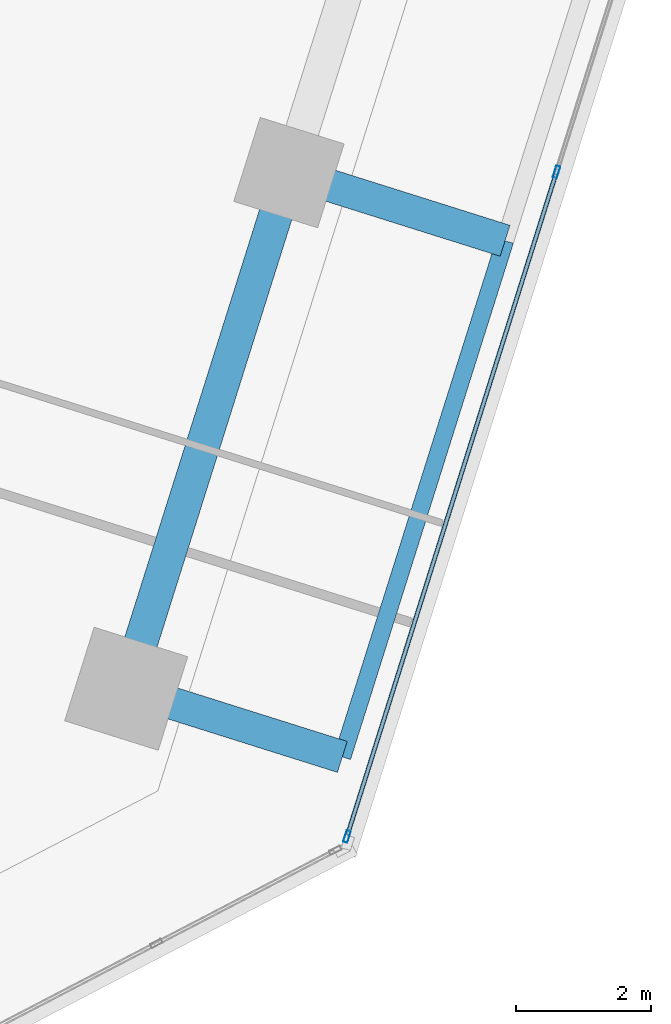
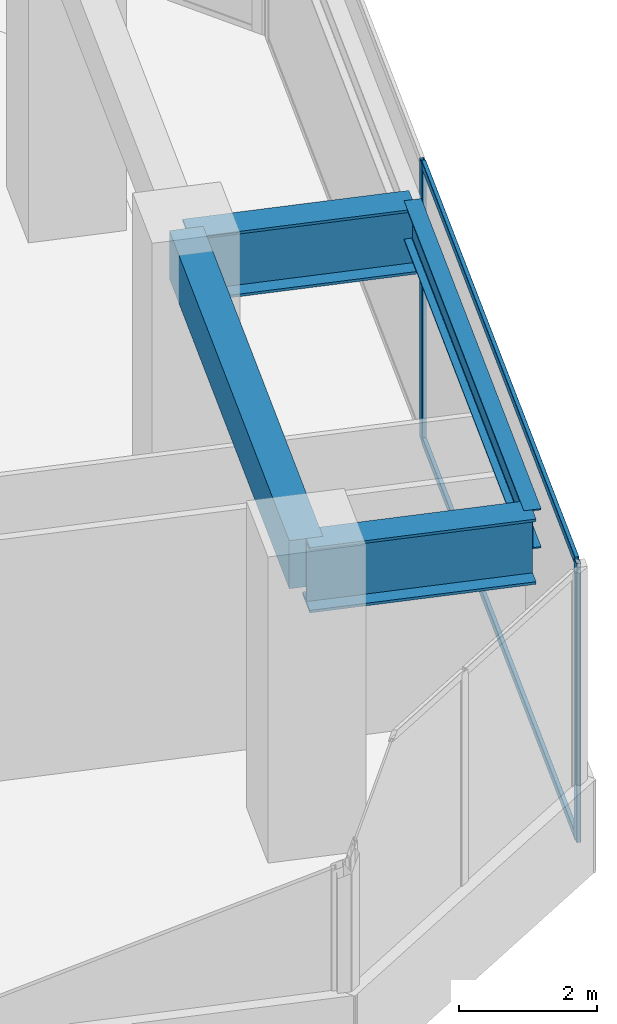
# One storey, part 9 of 28: 4 beams, 4 members, 1 element without a shape of its own.
"""IFC4 building model written with IfcOpenShell, lengths in metres."""

from ifc_helpers import new_model, si_unit, direction, frame, origin, origin_2d, place, context, subcontext, project, spatial, rectangle, hollow_rectangle, i_section, extrude, source, transform, mapped, material, material_profile, profile_set, type_object, element, aggregate, save


model = new_model("IFC4")

# Units and contexts
model_context = context("Model", 3, precision=1e-05, world=origin(), true_north=direction((0.0, 1.0)))
body_context = subcontext(model_context, "Body", "Model", "MODEL_VIEW")
ifc_project = project(units=[si_unit("LENGTHUNIT", "METRE"), si_unit("AREAUNIT", "SQUARE_METRE"), si_unit("VOLUMEUNIT", "CUBIC_METRE"), si_unit("PLANEANGLEUNIT", "RADIAN"), si_unit("MASSUNIT", "GRAM", prefix="KILO")], contexts=[model_context])

# Site, building, storey
site_placement = place(None, origin())
site = spatial("IfcSite", under=ifc_project, at=site_placement, CompositionType="ELEMENT")
building_placement = place(site_placement, origin())
building = spatial("IfcBuilding", under=site, at=building_placement, Name="Torre Montelarca", CompositionType="ELEMENT")
storey_placement = place(building_placement, frame((0.0, 0.0, 116.800048828125)))
storey = spatial("IfcBuildingStorey", under=building, at=storey_placement, Name="L26", CompositionType="ELEMENT", Elevation=116.800048828125)

# Beams
ifc_material_1 = material(Name="Concrete C55/67", Category="concrete")
ifc_material_profile_1 = material_profile(ifc_material_1, rectangle(XDim=0.5, YDim=0.85009765625, at=origin_2d()), Name="RCB500X850", Category="concrete")
ifc_profile_set_1 = profile_set([ifc_material_profile_1], Name="Concrete C55/67")
beam_type_1 = type_object("IfcBeamType", Name="BM-SP-RC850-EXT", PredefinedType="SPANDREL", material=ifc_profile_set_1)
shared_shape_1 = source(origin(), body_context, "Body", "SweptSolid", [
    extrude(rectangle(XDim=0.5, YDim=0.85009765625, at=origin_2d()), origin(), (0.0, 0.0, 1.0), 7.999755859375),
])
beam_1_placement = place(storey_placement, frame((55.8125, 12.793212890625, 4.695068359375), z_axis=(0.300694628035, 0.953720473027, 0.0), x_axis=(-0.953720473027, 0.300694628035, 0.0)))
element("IfcBeam", 1, at=beam_1_placement, inside=storey, type_object=beam_type_1, Name="L26 Grid Girder Y 24.0-32.0 at X=60.0", PredefinedType="SPANDREL", context=body_context, shape_type="MappedRepresentation", body=[
    mapped(shared_shape_1, transform((0.0, 0.0, 0.0), scale=1.0)),
])
ifc_material_2 = material(Name="Steel ASTM A572 Grade 50", Category="steel")
ifc_material_profile_2 = material_profile(ifc_material_2, i_section(OverallWidth=0.47998046875, OverallDepth=1.14990234375, WebThickness=0.02197265625, FlangeThickness=0.044921875, at=origin_2d()), Name="PG1150X480X22X45", Category="steel")
ifc_profile_set_2 = profile_set([ifc_material_profile_2], Name="Steel ASTM A572 Grade 50")
beam_type_2 = type_object("IfcBeamType", Name="BM-CG-PG1400-EXT", PredefinedType="USERDEFINED", material=ifc_profile_set_2)
shared_shape_2 = source(origin(), body_context, "Body", "SweptSolid", [
    extrude(i_section(OverallWidth=0.47998046875, OverallDepth=1.14990234375, WebThickness=0.02197265625, FlangeThickness=0.044921875, at=origin_2d()), origin(), (0.0, 0.0, 1.0), 3.349853515625),
])
beam_2_placement = place(storey_placement, frame((55.8125, 12.793212890625, 4.544921875), z_axis=(0.953696046555, -0.3007720911, 0.0), x_axis=(0.3007720911, 0.953696046555, 0.0)))
element("IfcBeam", 2, at=beam_2_placement, inside=storey, type_object=beam_type_2, Name="L26 Sliding Tray Cantilever Girder East Y=24m (FLR)", ObjectType="CANTILEVER GIRDER", PredefinedType="USERDEFINED", context=body_context, shape_type="MappedRepresentation", body=[
    mapped(shared_shape_2, transform((0.0, 0.0, 0.0), scale=1.0)),
])
shared_shape_3 = source(origin(), body_context, "Body", "SweptSolid", [
    extrude(i_section(OverallWidth=0.47998046875, OverallDepth=1.14990234375, WebThickness=0.02197265625, FlangeThickness=0.044921875, at=origin_2d()), origin(), (0.0, 0.0, 1.0), 3.35009765625),
])
beam_3_placement = place(storey_placement, frame((58.218017578125, 20.4228515625, 4.544921875), z_axis=(0.953723539206, -0.300684902786, 0.0), x_axis=(0.300684902786, 0.953723539206, 0.0)))
element("IfcBeam", 3, at=beam_3_placement, inside=storey, type_object=beam_type_2, Name="L26 Sliding Tray Cantilever Girder East Y=32m (FLR)", ObjectType="CANTILEVER GIRDER", PredefinedType="USERDEFINED", context=body_context, shape_type="MappedRepresentation", body=[
    mapped(shared_shape_3, transform((0.0, 0.0, 0.0), scale=1.0)),
])
ifc_material_3 = material(Name="Steel ASTM A992 Grade 50", Category="steel")
ifc_material_profile_3 = material_profile(ifc_material_3, i_section(OverallWidth=0.256103515625, OverallDepth=0.693115234375, WebThickness=0.014404296875, FlangeThickness=0.023681640625, FilletRadius=0.01806640625, at=origin_2d()), Name="W690X170", Category="steel")
ifc_profile_set_3 = profile_set([ifc_material_profile_3], Name="Steel ASTM A992 Grade 50")
beam_type_3 = type_object("IfcBeamType", Name="BM-G-W690-EXT", PredefinedType="BEAM", material=ifc_profile_set_3)
shared_shape_4 = source(origin(), body_context, "Body", "SweptSolid", [
    extrude(i_section(OverallWidth=0.256103515625, OverallDepth=0.693115234375, WebThickness=0.014404296875, FlangeThickness=0.023681640625, FilletRadius=0.01806640625, at=origin_2d()), origin(), (0.0, 0.0, 1.0), 8.000244140625),
])
beam_4_placement = place(storey_placement, frame((59.00732421875, 11.78564453125, 4.77392578125), z_axis=(0.300713634033, 0.953714480495, 0.0), x_axis=(-0.953714480495, 0.300713634033, 0.0)))
element("IfcBeam", 4, at=beam_4_placement, inside=storey, type_object=beam_type_3, Name="L26 Sliding Tray Edge Girder East 24-32m (FLR)", PredefinedType="BEAM", context=body_context, shape_type="MappedRepresentation", body=[
    mapped(shared_shape_4, transform((0.0, 0.0, 0.0), scale=1.0)),
])

# Curtain wall, members
ifc_material_4 = material(Name="Insulated low-E laminated glass", Category="glass")
curtain_wall_type = type_object("IfcCurtainWallType", Name="CW-SYS-Z1", PredefinedType="USERDEFINED", material=ifc_material_4)
curtain_wall_placement = place(storey_placement, origin())
curtain_wall = element("IfcCurtainWall", 5, at=curtain_wall_placement, inside=storey, type_object=curtain_wall_type, Name="L26 Curtain Wall Run CW-T3-L26-E06-B1", ObjectType="UNITISED GLAZING", PredefinedType="USERDEFINED")
ifc_material_5 = material(Name="Anodised aluminium AA 6063-T6", Category="aluminium")
ifc_material_profile_4 = material_profile(ifc_material_5, hollow_rectangle(XDim=0.06494140625, YDim=0.139892578125, WallThickness=0.00390625, InnerFilletRadius=0.00390625, OuterFilletRadius=0.008056640625, at=origin_2d()), Name="ALU65X140X4", Category="aluminium")
ifc_profile_set_4 = profile_set([ifc_material_profile_4], Name="Anodised aluminium AA 6063-T6")
member_type_1 = type_object("IfcMemberType", Name="CWT-ALU140", PredefinedType="USERDEFINED", material=ifc_profile_set_4)
shared_shape_5 = source(origin(), body_context, "Body", "SweptSolid", [
    extrude(hollow_rectangle(XDim=0.06494140625, YDim=0.139892578125, WallThickness=0.00390625, InnerFilletRadius=0.00390625, OuterFilletRadius=0.008056640625, at=origin_2d()), origin(), (0.0, 0.0, 1.0), 10.23681640625),
])
member_1_placement = place(storey_placement, frame((59.08642578125, 10.6396484375, 0.032470703125), z_axis=(0.300717008856, 0.953713416381, 0.0), x_axis=(-0.953713416381, 0.300717008856, 0.0)))
member_1 = element("IfcMember", 6, at=member_1_placement, type_object=member_type_1, Name="CW transom 1.1", ObjectType="TRANSOM", PredefinedType="USERDEFINED", context=body_context, shape_type="MappedRepresentation", body=[
    mapped(shared_shape_5, transform((0.0, 0.0, 0.0), scale=1.0)),
])
member_2_placement = place(storey_placement, frame((59.08642578125, 10.6396484375, 4.887451171875), z_axis=(0.300717008856, 0.953713416381, 0.0), x_axis=(-0.953713416381, 0.300717008856, 0.0)))
member_2 = element("IfcMember", 7, at=member_2_placement, type_object=member_type_1, Name="CW transom 1.2", ObjectType="TRANSOM", PredefinedType="USERDEFINED", context=body_context, shape_type="MappedRepresentation", body=[
    mapped(shared_shape_5, transform((0.0, 0.0, 0.0), scale=1.0)),
])
ifc_material_profile_5 = material_profile(ifc_material_5, hollow_rectangle(XDim=0.06494140625, YDim=0.179931640625, WallThickness=0.00390625, InnerFilletRadius=0.00390625, OuterFilletRadius=0.008056640625, at=origin_2d()), Name="ALU65X180X4", Category="aluminium")
ifc_profile_set_5 = profile_set([ifc_material_profile_5], Name="Anodised aluminium AA 6063-T6")
member_type_2 = type_object("IfcMemberType", Name="CWM-ALU180", PredefinedType="MULLION", material=ifc_profile_set_5)
shared_shape_6 = source(origin(), body_context, "Body", "SweptSolid", [
    extrude(hollow_rectangle(XDim=0.06494140625, YDim=0.179931640625, WallThickness=0.00390625, InnerFilletRadius=0.00390625, OuterFilletRadius=0.008056640625, at=origin_2d()), origin(), (0.0, 0.0, 1.0), 4.919921875),
])
member_3_placement = place(storey_placement, frame((59.07666015625, 10.608642578125, 0.0), z_axis=(0.0, 0.0, 1.0), x_axis=(-0.95371704325, 0.300705506127, 0.0)))
member_3 = element("IfcMember", 8, at=member_3_placement, type_object=member_type_2, Name="CW mullion 1", PredefinedType="MULLION", context=body_context, shape_type="MappedRepresentation", body=[
    mapped(shared_shape_6, transform((0.0, 0.0, 0.0), scale=1.0)),
])
member_4_placement = place(storey_placement, frame((62.174560546875, 20.43359375, 0.0), z_axis=(0.0, 0.0, 1.0), x_axis=(-0.95371704325, 0.300705506127, 0.0)))
member_4 = element("IfcMember", 9, at=member_4_placement, type_object=member_type_2, Name="CW mullion 2", PredefinedType="MULLION", context=body_context, shape_type="MappedRepresentation", body=[
    mapped(shared_shape_6, transform((0.0, 0.0, 0.0), scale=1.0)),
])
aggregate(curtain_wall, [member_3, member_4, member_1, member_2])

save(model, "model.ifc")
